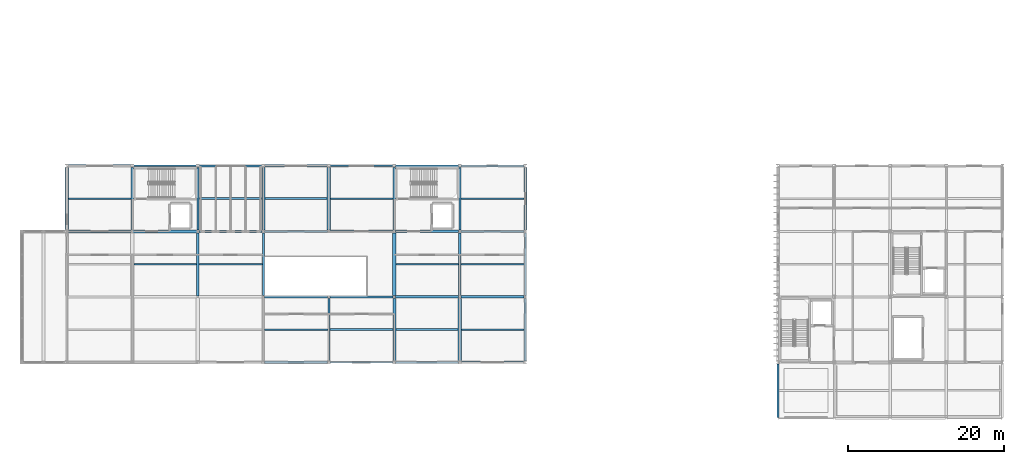
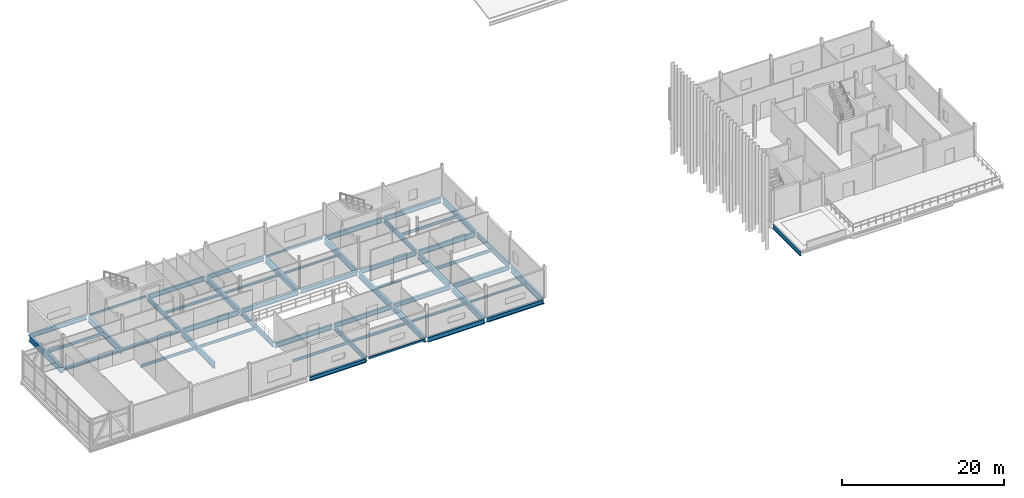
# One storey, part 16 of 45: 52 beams.
"""IFC4 building model written with IfcOpenShell, lengths in metres."""

from ifc_helpers import new_model, si_unit, direction, frame, origin, origin_2d, place, context, subcontext, project, spatial, hollow_rectangle, i_section, extrude, material, material_profile, profile_set, type_object, element, save


model = new_model("IFC4")

# Units and contexts
model_context = context("Model", 3, precision=1e-05, world=origin(), true_north=direction((0.0, 1.0)))
body_context = subcontext(model_context, "Body", "Model", "MODEL_VIEW")
ifc_project = project(units=[si_unit("LENGTHUNIT", "METRE"), si_unit("AREAUNIT", "SQUARE_METRE"), si_unit("VOLUMEUNIT", "CUBIC_METRE"), si_unit("PLANEANGLEUNIT", "RADIAN"), si_unit("MASSUNIT", "GRAM", prefix="KILO")], contexts=[model_context])

# Site, building, storey
site_placement = place(None, origin())
site = spatial("IfcSite", under=ifc_project, at=site_placement, CompositionType="ELEMENT")
building_placement = place(site_placement, origin())
building = spatial("IfcBuilding", under=site, at=building_placement, Name="Calvrana Isthmian Art Gallery", CompositionType="ELEMENT")
storey_placement = place(building_placement, frame((0.0, 0.0, 19.800048828125)))
storey = spatial("IfcBuildingStorey", under=building, at=storey_placement, Name="L04", CompositionType="ELEMENT", Elevation=19.800048828125)

# Beams
ifc_material_1 = material(Name="Steel ASTM A992 Gr 50", Category="steel")
ifc_material_profile_1 = material_profile(ifc_material_1, i_section(OverallWidth=0.39892578125, OverallDepth=0.39404296875, WebThickness=0.022705078125, FlangeThickness=0.03662109375, FilletRadius=0.02490234375, at=origin_2d()), Name="W14X193")
ifc_profile_set_1 = profile_set([ifc_material_profile_1], Name="Steel ASTM A992 Gr 50")
beam_type_1 = type_object("IfcBeamType", Name="BM-CANT-CHORD", PredefinedType="BEAM", material=ifc_profile_set_1)
beam_1_placement = place(storey_placement, frame((21.60009765625, 38.39990234375, -0.467041015625), z_axis=(1.0, 0.0, 0.0), x_axis=(0.0, 1.0, 0.0)))
element("IfcBeam", 1, at=beam_1_placement, inside=storey, type_object=beam_type_1, Name="Lookout back-span bottom chord 2", PredefinedType="BEAM", context=body_context, shape_type="SweptSolid", body=[
    extrude(i_section(OverallWidth=0.39892578125, OverallDepth=0.39404296875, WebThickness=0.022705078125, FlangeThickness=0.03662109375, FilletRadius=0.02490234375, at=origin_2d()), origin(), (0.0, 0.0, 1.0), 16.7998046875),
])
ifc_material_profile_2 = material_profile(ifc_material_1, i_section(OverallWidth=0.324951171875, OverallDepth=0.612060546875, WebThickness=0.0126953125, FlangeThickness=0.01904296875, FilletRadius=0.02197265625, at=origin_2d()), Name="W24X104")
ifc_profile_set_2 = profile_set([ifc_material_profile_2], Name="Steel ASTM A992 Gr 50")
beam_type_2 = type_object("IfcBeamType", Name="BM-G-W24X104", PredefinedType="BEAM", material=ifc_profile_set_2)
beam_2_placement = place(storey_placement, frame((46.985595703125, 21.60009765625, -0.571044921875), z_axis=(1.0, 0.0, 0.0), x_axis=(0.0, 1.0, 0.0)))
element("IfcBeam", 2, at=beam_2_placement, inside=storey, type_object=beam_type_2, Name="Girder X L04 07-08/D", PredefinedType="BEAM", context=body_context, shape_type="SweptSolid", body=[
    extrude(i_section(OverallWidth=0.324951171875, OverallDepth=0.612060546875, WebThickness=0.0126953125, FlangeThickness=0.01904296875, FilletRadius=0.02197265625, at=origin_2d()), origin(), (0.0, 0.0, 1.0), 8.030517578125),
])
beam_3_placement = place(storey_placement, frame((72.1865234375, 30.0, -0.571044921875), z_axis=(1.0, 0.0, 0.0), x_axis=(0.0, 1.0, 0.0)))
element("IfcBeam", 3, at=beam_3_placement, inside=storey, type_object=beam_type_2, Name="Girder X L04 10-11/E", PredefinedType="BEAM", context=body_context, shape_type="SweptSolid", body=[
    extrude(i_section(OverallWidth=0.324951171875, OverallDepth=0.612060546875, WebThickness=0.0126953125, FlangeThickness=0.01904296875, FilletRadius=0.02197265625, at=origin_2d()), origin(), (0.0, 0.0, 1.0), 8.02685546875),
])
beam_4_placement = place(storey_placement, frame((63.785400390625, 38.39990234375, -0.571044921875), z_axis=(1.0, 0.0, 0.0), x_axis=(0.0, 1.0, 0.0)))
element("IfcBeam", 4, at=beam_4_placement, inside=storey, type_object=beam_type_2, Name="Girder X L04 09-10/F", PredefinedType="BEAM", context=body_context, shape_type="SweptSolid", body=[
    extrude(i_section(OverallWidth=0.324951171875, OverallDepth=0.612060546875, WebThickness=0.0126953125, FlangeThickness=0.01904296875, FilletRadius=0.02197265625, at=origin_2d()), origin(), (0.0, 0.0, 1.0), 8.030517578125),
])
beam_5_placement = place(storey_placement, frame((21.78662109375, 46.800048828125, -0.571044921875), z_axis=(1.0, 0.0, 0.0), x_axis=(0.0, 1.0, 0.0)))
element("IfcBeam", 5, at=beam_5_placement, inside=storey, type_object=beam_type_2, Name="Girder X L04 04-05/G", PredefinedType="BEAM", context=body_context, shape_type="SweptSolid", body=[
    extrude(i_section(OverallWidth=0.324951171875, OverallDepth=0.612060546875, WebThickness=0.0126953125, FlangeThickness=0.01904296875, FilletRadius=0.02197265625, at=origin_2d()), origin(), (0.0, 0.0, 1.0), 8.02685546875),
])
ifc_material_profile_3 = material_profile(ifc_material_1, i_section(OverallWidth=0.327880859375, OverallDepth=0.6220703125, WebThickness=0.015380859375, FlangeThickness=0.0244140625, FilletRadius=0.02197265625, at=origin_2d()), Name="W24X131")
ifc_profile_set_3 = profile_set([ifc_material_profile_3], Name="Steel ASTM A992 Gr 50")
beam_type_3 = type_object("IfcBeamType", Name="BM-G-W24X131", PredefinedType="BEAM", material=ifc_profile_set_3)
beam_6_placement = place(storey_placement, frame((72.1865234375, 21.60009765625, -0.575927734375), z_axis=(1.0, 0.0, 0.0), x_axis=(0.0, 1.0, 0.0)))
element("IfcBeam", 6, at=beam_6_placement, inside=storey, type_object=beam_type_3, Name="Girder X L04 10-11/D", PredefinedType="BEAM", context=body_context, shape_type="SweptSolid", body=[
    extrude(i_section(OverallWidth=0.327880859375, OverallDepth=0.6220703125, WebThickness=0.015380859375, FlangeThickness=0.0244140625, FilletRadius=0.02197265625, at=origin_2d()), origin(), (0.0, 0.0, 1.0), 8.028076171875),
])
beam_7_placement = place(storey_placement, frame((63.783935546875, 30.0, -0.575927734375), z_axis=(1.0, 0.0, 0.0), x_axis=(0.0, 1.0, 0.0)))
element("IfcBeam", 7, at=beam_7_placement, inside=storey, type_object=beam_type_3, Name="Girder X L04 09-10/E", PredefinedType="BEAM", context=body_context, shape_type="SweptSolid", body=[
    extrude(i_section(OverallWidth=0.327880859375, OverallDepth=0.6220703125, WebThickness=0.015380859375, FlangeThickness=0.0244140625, FilletRadius=0.02197265625, at=origin_2d()), origin(), (0.0, 0.0, 1.0), 8.029541015625),
])
beam_8_placement = place(storey_placement, frame((55.386474609375, 38.39990234375, -0.575927734375), z_axis=(1.0, 0.0, 0.0), x_axis=(0.0, 1.0, 0.0)))
element("IfcBeam", 8, at=beam_8_placement, inside=storey, type_object=beam_type_3, Name="Girder X L04 08-09/F", PredefinedType="BEAM", context=body_context, shape_type="SweptSolid", body=[
    extrude(i_section(OverallWidth=0.327880859375, OverallDepth=0.6220703125, WebThickness=0.015380859375, FlangeThickness=0.0244140625, FilletRadius=0.02197265625, at=origin_2d()), origin(), (0.0, 0.0, 1.0), 8.028076171875),
])
beam_9_placement = place(storey_placement, frame((46.98388671875, 46.800048828125, -0.575927734375), z_axis=(1.0, 0.0, 0.0), x_axis=(0.0, 1.0, 0.0)))
element("IfcBeam", 9, at=beam_9_placement, inside=storey, type_object=beam_type_3, Name="Girder X L04 07-08/G", PredefinedType="BEAM", context=body_context, shape_type="SweptSolid", body=[
    extrude(i_section(OverallWidth=0.327880859375, OverallDepth=0.6220703125, WebThickness=0.015380859375, FlangeThickness=0.0244140625, FilletRadius=0.02197265625, at=origin_2d()), origin(), (0.0, 0.0, 1.0), 8.029541015625),
])
ifc_material_profile_4 = material_profile(ifc_material_1, i_section(OverallWidth=0.22802734375, OverallDepth=0.60693359375, WebThickness=0.01123046875, FlangeThickness=0.017333984375, FilletRadius=0.02197265625, at=origin_2d()), Name="W24X76")
ifc_profile_set_4 = profile_set([ifc_material_profile_4], Name="Steel ASTM A992 Gr 50")
beam_type_4 = type_object("IfcBeamType", Name="BM-G-W24X76", PredefinedType="BEAM", material=ifc_profile_set_4)
beam_10_placement = place(storey_placement, frame((112.800048828125, 14.527099609375, -0.568603515625), z_axis=(0.0, 1.0, 0.0), x_axis=(-1.0, 0.0, 0.0)))
element("IfcBeam", 10, at=beam_10_placement, inside=storey, type_object=beam_type_4, Name="Girder Y L04 15/C-D", PredefinedType="BEAM", context=body_context, shape_type="SweptSolid", body=[
    extrude(i_section(OverallWidth=0.22802734375, OverallDepth=0.60693359375, WebThickness=0.01123046875, FlangeThickness=0.017333984375, FilletRadius=0.02197265625, at=origin_2d()), origin(), (0.0, 0.0, 1.0), 6.891357421875),
])
ifc_material_profile_5 = material_profile(ifc_material_1, i_section(OverallWidth=0.257080078125, OverallDepth=0.693115234375, WebThickness=0.014404296875, FlangeThickness=0.023681640625, FilletRadius=0.02392578125, at=origin_2d()), Name="W27X114")
ifc_profile_set_5 = profile_set([ifc_material_profile_5], Name="Steel ASTM A992 Gr 50")
beam_type_5 = type_object("IfcBeamType", Name="BM-G-W27X114", PredefinedType="BEAM", material=ifc_profile_set_5)
beam_11_placement = place(storey_placement, frame((63.78662109375, 21.60009765625, -0.611572265625), z_axis=(1.0, 0.0, 0.0), x_axis=(0.0, 1.0, 0.0)))
element("IfcBeam", 11, at=beam_11_placement, inside=storey, type_object=beam_type_5, Name="Girder X L04 09-10/D", PredefinedType="BEAM", context=body_context, shape_type="SweptSolid", body=[
    extrude(i_section(OverallWidth=0.257080078125, OverallDepth=0.693115234375, WebThickness=0.014404296875, FlangeThickness=0.023681640625, FilletRadius=0.02392578125, at=origin_2d()), origin(), (0.0, 0.0, 1.0), 8.02685546875),
])
beam_12_placement = place(storey_placement, frame((55.385498046875, 30.0, -0.611572265625), z_axis=(1.0, 0.0, 0.0), x_axis=(0.0, 1.0, 0.0)))
element("IfcBeam", 12, at=beam_12_placement, inside=storey, type_object=beam_type_5, Name="Girder X L04 08-09/E", PredefinedType="BEAM", context=body_context, shape_type="SweptSolid", body=[
    extrude(i_section(OverallWidth=0.257080078125, OverallDepth=0.693115234375, WebThickness=0.014404296875, FlangeThickness=0.023681640625, FilletRadius=0.02392578125, at=origin_2d()), origin(), (0.0, 0.0, 1.0), 8.030517578125),
])
beam_13_placement = place(storey_placement, frame((46.986572265625, 38.39990234375, -0.611572265625), z_axis=(1.0, 0.0, 0.0), x_axis=(0.0, 1.0, 0.0)))
element("IfcBeam", 13, at=beam_13_placement, inside=storey, type_object=beam_type_5, Name="Girder X L04 07-08/F", PredefinedType="BEAM", context=body_context, shape_type="SweptSolid", body=[
    extrude(i_section(OverallWidth=0.257080078125, OverallDepth=0.693115234375, WebThickness=0.014404296875, FlangeThickness=0.023681640625, FilletRadius=0.02392578125, at=origin_2d()), origin(), (0.0, 0.0, 1.0), 8.02685546875),
])
for number, where, z_axis, x_axis, name in (
    (14, (38.58544921875, 46.800048828125, -0.611572265625), (1.0, 0.0, 0.0), (0.0, 1.0, 0.0), "Girder X L04 06-07/G"),
    (15, (72.185546875, 46.800048828125, -0.611572265625), (1.0, 0.0, 0.0), (0.0, 1.0, 0.0), "Girder X L04 10-11/G"),
):
    element("IfcBeam", number, at=place(storey_placement, frame(where, z_axis=z_axis, x_axis=x_axis)), inside=storey, type_object=beam_type_5, Name=name, PredefinedType="BEAM", context=body_context, shape_type="SweptSolid", body=[
        extrude(i_section(OverallWidth=0.257080078125, OverallDepth=0.693115234375, WebThickness=0.014404296875, FlangeThickness=0.023681640625, FilletRadius=0.02392578125, at=origin_2d()), origin(), (0.0, 0.0, 1.0), 8.030517578125),
    ])
beam_14_placement = place(storey_placement, frame((38.39990234375, 38.577880859375, -0.611572265625), z_axis=(0.0, 1.0, 0.0), x_axis=(-1.0, 0.0, 0.0)))
element("IfcBeam", 16, at=beam_14_placement, inside=storey, type_object=beam_type_5, Name="Girder Y L04 06/F-G", PredefinedType="BEAM", context=body_context, shape_type="SweptSolid", body=[
    extrude(i_section(OverallWidth=0.257080078125, OverallDepth=0.693115234375, WebThickness=0.014404296875, FlangeThickness=0.023681640625, FilletRadius=0.02392578125, at=origin_2d()), origin(), (0.0, 0.0, 1.0), 8.04052734375),
])
beam_15_placement = place(storey_placement, frame((46.800048828125, 30.15234375, -0.611572265625), z_axis=(0.0, 1.0, 0.0), x_axis=(-1.0, 0.0, 0.0)))
element("IfcBeam", 17, at=beam_15_placement, inside=storey, type_object=beam_type_5, Name="Girder Y L04 07/E-F", PredefinedType="BEAM", context=body_context, shape_type="SweptSolid", body=[
    extrude(i_section(OverallWidth=0.257080078125, OverallDepth=0.693115234375, WebThickness=0.014404296875, FlangeThickness=0.023681640625, FilletRadius=0.02392578125, at=origin_2d()), origin(), (0.0, 0.0, 1.0), 8.06103515625),
])
for number, where, z_axis, x_axis, name in (
    (18, (55.199951171875, 21.778076171875, -0.611572265625), (0.0, 1.0, 0.0), (-1.0, 0.0, 0.0), "Girder Y L04 08/D-E"),
    (19, (72.0, 38.577880859375, -0.611572265625), (0.0, 1.0, 0.0), (-1.0, 0.0, 0.0), "Girder Y L04 10/F-G"),
):
    element("IfcBeam", number, at=place(storey_placement, frame(where, z_axis=z_axis, x_axis=x_axis)), inside=storey, type_object=beam_type_5, Name=name, PredefinedType="BEAM", context=body_context, shape_type="SweptSolid", body=[
        extrude(i_section(OverallWidth=0.257080078125, OverallDepth=0.693115234375, WebThickness=0.014404296875, FlangeThickness=0.023681640625, FilletRadius=0.02392578125, at=origin_2d()), origin(), (0.0, 0.0, 1.0), 8.04052734375),
    ])
beam_16_placement = place(storey_placement, frame((80.39990234375, 30.18408203125, -0.611572265625), z_axis=(0.0, 1.0, 0.0), x_axis=(-1.0, 0.0, 0.0)))
element("IfcBeam", 20, at=beam_16_placement, inside=storey, type_object=beam_type_5, Name="Girder Y L04 11/E-F", PredefinedType="BEAM", context=body_context, shape_type="SweptSolid", body=[
    extrude(i_section(OverallWidth=0.257080078125, OverallDepth=0.693115234375, WebThickness=0.014404296875, FlangeThickness=0.023681640625, FilletRadius=0.02392578125, at=origin_2d()), origin(), (0.0, 0.0, 1.0), 8.029296875),
])
ifc_material_profile_6 = material_profile(ifc_material_1, i_section(OverallWidth=0.26708984375, OverallDepth=0.761962890625, WebThickness=0.014404296875, FlangeThickness=0.021484375, FilletRadius=0.02490234375, at=origin_2d()), Name="W30X116")
ifc_profile_set_6 = profile_set([ifc_material_profile_6], Name="Steel ASTM A992 Gr 50")
beam_type_6 = type_object("IfcBeamType", Name="BM-G-W30X116", PredefinedType="BEAM", material=ifc_profile_set_6)
beam_17_placement = place(storey_placement, frame((46.952392578125, 30.0, -0.64599609375), z_axis=(1.0, 0.0, 0.0), x_axis=(0.0, 1.0, 0.0)))
element("IfcBeam", 21, at=beam_17_placement, inside=storey, type_object=beam_type_6, Name="Girder X L04 07-08/E", PredefinedType="BEAM", context=body_context, shape_type="SweptSolid", body=[
    extrude(i_section(OverallWidth=0.26708984375, OverallDepth=0.761962890625, WebThickness=0.014404296875, FlangeThickness=0.021484375, FilletRadius=0.02490234375, at=origin_2d()), origin(), (0.0, 0.0, 1.0), 8.06201171875),
])
beam_18_placement = place(storey_placement, frame((38.583984375, 38.39990234375, -0.64599609375), z_axis=(1.0, 0.0, 0.0), x_axis=(0.0, 1.0, 0.0)))
element("IfcBeam", 22, at=beam_18_placement, inside=storey, type_object=beam_type_6, Name="Girder X L04 06-07/F", PredefinedType="BEAM", context=body_context, shape_type="SweptSolid", body=[
    extrude(i_section(OverallWidth=0.26708984375, OverallDepth=0.761962890625, WebThickness=0.014404296875, FlangeThickness=0.021484375, FilletRadius=0.02490234375, at=origin_2d()), origin(), (0.0, 0.0, 1.0), 8.029541015625),
])
beam_19_placement = place(storey_placement, frame((72.18408203125, 38.39990234375, -0.64599609375), z_axis=(1.0, 0.0, 0.0), x_axis=(0.0, 1.0, 0.0)))
element("IfcBeam", 23, at=beam_19_placement, inside=storey, type_object=beam_type_6, Name="Girder X L04 10-11/F", PredefinedType="BEAM", context=body_context, shape_type="SweptSolid", body=[
    extrude(i_section(OverallWidth=0.26708984375, OverallDepth=0.761962890625, WebThickness=0.014404296875, FlangeThickness=0.021484375, FilletRadius=0.02490234375, at=origin_2d()), origin(), (0.0, 0.0, 1.0), 8.029296875),
])
beam_20_placement = place(storey_placement, frame((63.78662109375, 46.800048828125, -0.64599609375), z_axis=(1.0, 0.0, 0.0), x_axis=(0.0, 1.0, 0.0)))
element("IfcBeam", 24, at=beam_20_placement, inside=storey, type_object=beam_type_6, Name="Girder X L04 09-10/G", PredefinedType="BEAM", context=body_context, shape_type="SweptSolid", body=[
    extrude(i_section(OverallWidth=0.26708984375, OverallDepth=0.761962890625, WebThickness=0.014404296875, FlangeThickness=0.021484375, FilletRadius=0.02490234375, at=origin_2d()), origin(), (0.0, 0.0, 1.0), 8.02783203125),
])
ifc_material_profile_7 = material_profile(ifc_material_1, i_section(OverallWidth=0.381103515625, OverallDepth=0.77197265625, WebThickness=0.0166015625, FlangeThickness=0.027099609375, FilletRadius=0.02490234375, at=origin_2d()), Name="W30X173")
ifc_profile_set_7 = profile_set([ifc_material_profile_7], Name="Steel ASTM A992 Gr 50")
beam_type_7 = type_object("IfcBeamType", Name="BM-G-W30X173", PredefinedType="BEAM", material=ifc_profile_set_7)
beam_21_placement = place(storey_placement, frame((46.800048828125, 38.58642578125, -0.651123046875), z_axis=(0.0, 1.0, 0.0), x_axis=(-1.0, 0.0, 0.0)))
element("IfcBeam", 25, at=beam_21_placement, inside=storey, type_object=beam_type_7, Name="Girder Y L04 07/F-G", PredefinedType="BEAM", context=body_context, shape_type="SweptSolid", body=[
    extrude(i_section(OverallWidth=0.381103515625, OverallDepth=0.77197265625, WebThickness=0.0166015625, FlangeThickness=0.027099609375, FilletRadius=0.02490234375, at=origin_2d()), origin(), (0.0, 0.0, 1.0), 8.03564453125),
])
beam_22_placement = place(storey_placement, frame((63.60009765625, 21.78662109375, -0.651123046875), z_axis=(0.0, 1.0, 0.0), x_axis=(-1.0, 0.0, 0.0)))
element("IfcBeam", 26, at=beam_22_placement, inside=storey, type_object=beam_type_7, Name="Girder Y L04 09/D-E", PredefinedType="BEAM", context=body_context, shape_type="SweptSolid", body=[
    extrude(i_section(OverallWidth=0.381103515625, OverallDepth=0.77197265625, WebThickness=0.0166015625, FlangeThickness=0.027099609375, FilletRadius=0.02490234375, at=origin_2d()), origin(), (0.0, 0.0, 1.0), 8.035400390625),
])
beam_23_placement = place(storey_placement, frame((80.39990234375, 38.58642578125, -0.651123046875), z_axis=(0.0, 1.0, 0.0), x_axis=(-1.0, 0.0, 0.0)))
element("IfcBeam", 27, at=beam_23_placement, inside=storey, type_object=beam_type_7, Name="Girder Y L04 11/F-G", PredefinedType="BEAM", context=body_context, shape_type="SweptSolid", body=[
    extrude(i_section(OverallWidth=0.381103515625, OverallDepth=0.77197265625, WebThickness=0.0166015625, FlangeThickness=0.027099609375, FilletRadius=0.02490234375, at=origin_2d()), origin(), (0.0, 0.0, 1.0), 8.03564453125),
])
ifc_material_profile_8 = material_profile(ifc_material_1, i_section(OverallWidth=0.40087890625, OverallDepth=0.85595703125, WebThickness=0.018310546875, FlangeThickness=0.029296875, FilletRadius=0.02587890625, at=origin_2d()), Name="W33X201")
ifc_profile_set_8 = profile_set([ifc_material_profile_8], Name="Steel ASTM A992 Gr 50")
beam_type_8 = type_object("IfcBeamType", Name="BM-G-W33X201", PredefinedType="BEAM", material=ifc_profile_set_8)
beam_24_placement = place(storey_placement, frame((21.60009765625, 38.552490234375, -0.693115234375), z_axis=(0.0, 1.0, 0.0), x_axis=(-1.0, 0.0, 0.0)))
element("IfcBeam", 28, at=beam_24_placement, inside=storey, type_object=beam_type_8, Name="Girder Y L04 04/F-G", PredefinedType="BEAM", context=body_context, shape_type="SweptSolid", body=[
    extrude(i_section(OverallWidth=0.40087890625, OverallDepth=0.85595703125, WebThickness=0.018310546875, FlangeThickness=0.029296875, FilletRadius=0.02587890625, at=origin_2d()), origin(), (0.0, 0.0, 1.0), 8.06103515625),
])
beam_25_placement = place(storey_placement, frame((55.199951171875, 38.583984375, -0.693115234375), z_axis=(0.0, 1.0, 0.0), x_axis=(-1.0, 0.0, 0.0)))
element("IfcBeam", 29, at=beam_25_placement, inside=storey, type_object=beam_type_8, Name="Girder Y L04 08/F-G", PredefinedType="BEAM", context=body_context, shape_type="SweptSolid", body=[
    extrude(i_section(OverallWidth=0.40087890625, OverallDepth=0.85595703125, WebThickness=0.018310546875, FlangeThickness=0.029296875, FilletRadius=0.02587890625, at=origin_2d()), origin(), (0.0, 0.0, 1.0), 8.029541015625),
])
beam_26_placement = place(storey_placement, frame((63.60009765625, 30.177978515625, -0.693115234375), z_axis=(0.0, 1.0, 0.0), x_axis=(-1.0, 0.0, 0.0)))
element("IfcBeam", 30, at=beam_26_placement, inside=storey, type_object=beam_type_8, Name="Girder Y L04 09/E-F", PredefinedType="BEAM", context=body_context, shape_type="SweptSolid", body=[
    extrude(i_section(OverallWidth=0.40087890625, OverallDepth=0.85595703125, WebThickness=0.018310546875, FlangeThickness=0.029296875, FilletRadius=0.02587890625, at=origin_2d()), origin(), (0.0, 0.0, 1.0), 8.04052734375),
])
beam_27_placement = place(storey_placement, frame((72.0, 21.783935546875, -0.693115234375), z_axis=(0.0, 1.0, 0.0), x_axis=(-1.0, 0.0, 0.0)))
element("IfcBeam", 31, at=beam_27_placement, inside=storey, type_object=beam_type_8, Name="Girder Y L04 10/D-E", PredefinedType="BEAM", context=body_context, shape_type="SweptSolid", body=[
    extrude(i_section(OverallWidth=0.40087890625, OverallDepth=0.85595703125, WebThickness=0.018310546875, FlangeThickness=0.029296875, FilletRadius=0.02587890625, at=origin_2d()), origin(), (0.0, 0.0, 1.0), 8.029541015625),
])
ifc_material_profile_9 = material_profile(ifc_material_1, i_section(OverallWidth=0.306884765625, OverallDepth=0.927001953125, WebThickness=0.019287109375, FlangeThickness=0.031982421875, FilletRadius=0.028076171875, at=origin_2d()), Name="W36X194")
ifc_profile_set_9 = profile_set([ifc_material_profile_9], Name="Steel ASTM A992 Gr 50")
beam_type_9 = type_object("IfcBeamType", Name="BM-G-W36X194", PredefinedType="BEAM", material=ifc_profile_set_9)
beam_28_placement = place(storey_placement, frame((30.0, 38.58154296875, -0.728515625), z_axis=(0.0, 1.0, 0.0), x_axis=(-1.0, 0.0, 0.0)))
element("IfcBeam", 32, at=beam_28_placement, inside=storey, type_object=beam_type_9, Name="Girder Y L04 05/F-G", PredefinedType="BEAM", context=body_context, shape_type="SweptSolid", body=[
    extrude(i_section(OverallWidth=0.306884765625, OverallDepth=0.927001953125, WebThickness=0.019287109375, FlangeThickness=0.031982421875, FilletRadius=0.028076171875, at=origin_2d()), origin(), (0.0, 0.0, 1.0), 8.034423828125),
])
beam_29_placement = place(storey_placement, frame((38.39990234375, 30.1015625, -0.728515625), z_axis=(0.0, 1.0, 0.0), x_axis=(-1.0, 0.0, 0.0)))
element("IfcBeam", 33, at=beam_29_placement, inside=storey, type_object=beam_type_9, Name="Girder Y L04 06/E-F", PredefinedType="BEAM", context=body_context, shape_type="SweptSolid", body=[
    extrude(i_section(OverallWidth=0.306884765625, OverallDepth=0.927001953125, WebThickness=0.019287109375, FlangeThickness=0.031982421875, FilletRadius=0.028076171875, at=origin_2d()), origin(), (0.0, 0.0, 1.0), 8.120361328125),
])
beam_30_placement = place(storey_placement, frame((63.60009765625, 38.58154296875, -0.728515625), z_axis=(0.0, 1.0, 0.0), x_axis=(-1.0, 0.0, 0.0)))
element("IfcBeam", 34, at=beam_30_placement, inside=storey, type_object=beam_type_9, Name="Girder Y L04 09/F-G", PredefinedType="BEAM", context=body_context, shape_type="SweptSolid", body=[
    extrude(i_section(OverallWidth=0.306884765625, OverallDepth=0.927001953125, WebThickness=0.019287109375, FlangeThickness=0.031982421875, FilletRadius=0.028076171875, at=origin_2d()), origin(), (0.0, 0.0, 1.0), 8.034423828125),
])
beam_31_placement = place(storey_placement, frame((72.0, 30.1865234375, -0.728515625), z_axis=(0.0, 1.0, 0.0), x_axis=(-1.0, 0.0, 0.0)))
element("IfcBeam", 35, at=beam_31_placement, inside=storey, type_object=beam_type_9, Name="Girder Y L04 10/E-F", PredefinedType="BEAM", context=body_context, shape_type="SweptSolid", body=[
    extrude(i_section(OverallWidth=0.306884765625, OverallDepth=0.927001953125, WebThickness=0.019287109375, FlangeThickness=0.031982421875, FilletRadius=0.028076171875, at=origin_2d()), origin(), (0.0, 0.0, 1.0), 8.035400390625),
])
beam_32_placement = place(storey_placement, frame((80.39990234375, 21.781494140625, -0.728515625), z_axis=(0.0, 1.0, 0.0), x_axis=(-1.0, 0.0, 0.0)))
element("IfcBeam", 36, at=beam_32_placement, inside=storey, type_object=beam_type_9, Name="Girder Y L04 11/D-E", PredefinedType="BEAM", context=body_context, shape_type="SweptSolid", body=[
    extrude(i_section(OverallWidth=0.306884765625, OverallDepth=0.927001953125, WebThickness=0.019287109375, FlangeThickness=0.031982421875, FilletRadius=0.028076171875, at=origin_2d()), origin(), (0.0, 0.0, 1.0), 8.034423828125),
])
ifc_material_profile_10 = material_profile(ifc_material_1, i_section(OverallWidth=0.202880859375, OverallDepth=0.302001953125, WebThickness=0.007568359375, FlangeThickness=0.01318359375, FilletRadius=0.01611328125, at=origin_2d()), Name="W12X40")
ifc_profile_set_10 = profile_set([ifc_material_profile_10], Name="Steel ASTM A992 Gr 50")
beam_type_10 = type_object("IfcBeamType", Name="BM-J-W12X40", PredefinedType="JOIST", material=ifc_profile_set_10)
beam_33_placement = place(storey_placement, frame((55.400390625, 42.60009765625, -0.416015625), z_axis=(1.0, 0.0, 0.0), x_axis=(0.0, 1.0, 0.0)))
element("IfcBeam", 37, at=beam_33_placement, inside=storey, type_object=beam_type_10, Name="Composite joist L04 bay 07-05", PredefinedType="JOIST", context=body_context, shape_type="SweptSolid", body=[
    extrude(i_section(OverallWidth=0.202880859375, OverallDepth=0.302001953125, WebThickness=0.007568359375, FlangeThickness=0.01318359375, FilletRadius=0.01611328125, at=origin_2d()), origin(), (0.0, 0.0, 1.0), 8.046142578125),
])
beam_34_placement = place(storey_placement, frame((63.800537109375, 34.199951171875, -0.416015625), z_axis=(1.0, 0.0, 0.0), x_axis=(0.0, 1.0, 0.0)))
element("IfcBeam", 38, at=beam_34_placement, inside=storey, type_object=beam_type_10, Name="Composite joist L04 bay 08-04", PredefinedType="JOIST", context=body_context, shape_type="SweptSolid", body=[
    extrude(i_section(OverallWidth=0.202880859375, OverallDepth=0.302001953125, WebThickness=0.007568359375, FlangeThickness=0.01318359375, FilletRadius=0.01611328125, at=origin_2d()), origin(), (0.0, 0.0, 1.0), 8.0458984375),
])
beam_35_placement = place(storey_placement, frame((72.200439453125, 25.800048828125, -0.416015625), z_axis=(1.0, 0.0, 0.0), x_axis=(0.0, 1.0, 0.0)))
element("IfcBeam", 39, at=beam_35_placement, inside=storey, type_object=beam_type_10, Name="Composite joist L04 bay 09-03", PredefinedType="JOIST", context=body_context, shape_type="SweptSolid", body=[
    extrude(i_section(OverallWidth=0.202880859375, OverallDepth=0.302001953125, WebThickness=0.007568359375, FlangeThickness=0.01318359375, FilletRadius=0.01611328125, at=origin_2d()), origin(), (0.0, 0.0, 1.0), 8.046142578125),
])
ifc_material_profile_11 = material_profile(ifc_material_1, i_section(OverallWidth=0.25390625, OverallDepth=0.306884765625, WebThickness=0.0087890625, FlangeThickness=0.0146484375, FilletRadius=0.01611328125, at=origin_2d()), Name="W12X53")
ifc_profile_set_11 = profile_set([ifc_material_profile_11], Name="Steel ASTM A992 Gr 50")
beam_type_11 = type_object("IfcBeamType", Name="BM-J-W12X53", PredefinedType="JOIST", material=ifc_profile_set_11)
for number, where, z_axis, x_axis, name in (
    (40, (46.990478515625, 42.60009765625, -0.41845703125), (1.0, 0.0, 0.0), (0.0, 1.0, 0.0), "Composite joist L04 bay 06-05"),
    (41, (63.79052734375, 25.800048828125, -0.41845703125), (1.0, 0.0, 0.0), (0.0, 1.0, 0.0), "Composite joist L04 bay 08-03"),
):
    element("IfcBeam", number, at=place(storey_placement, frame(where, z_axis=z_axis, x_axis=x_axis)), inside=storey, type_object=beam_type_11, Name=name, PredefinedType="JOIST", context=body_context, shape_type="SweptSolid", body=[
        extrude(i_section(OverallWidth=0.25390625, OverallDepth=0.306884765625, WebThickness=0.0087890625, FlangeThickness=0.0146484375, FilletRadius=0.01611328125, at=origin_2d()), origin(), (0.0, 0.0, 1.0), 8.009033203125),
    ])
ifc_material_profile_12 = material_profile(ifc_material_1, i_section(OverallWidth=0.25390625, OverallDepth=0.35302734375, WebThickness=0.009521484375, FlangeThickness=0.016357421875, FilletRadius=0.01806640625, at=origin_2d()), Name="W14X61")
ifc_profile_set_12 = profile_set([ifc_material_profile_12], Name="Steel ASTM A992 Gr 50")
beam_type_12 = type_object("IfcBeamType", Name="BM-J-W14X61", PredefinedType="JOIST", material=ifc_profile_set_12)
beam_36_placement = place(storey_placement, frame((38.528564453125, 42.60009765625, -0.441650390625), z_axis=(1.0, 0.0, 0.0), x_axis=(0.0, 1.0, 0.0)))
element("IfcBeam", 42, at=beam_36_placement, inside=storey, type_object=beam_type_12, Name="Composite joist L04 bay 05-05", PredefinedType="JOIST", context=body_context, shape_type="SweptSolid", body=[
    extrude(i_section(OverallWidth=0.25390625, OverallDepth=0.35302734375, WebThickness=0.009521484375, FlangeThickness=0.016357421875, FilletRadius=0.01806640625, at=origin_2d()), origin(), (0.0, 0.0, 1.0), 8.0810546875),
])
beam_37_placement = place(storey_placement, frame((55.32861328125, 25.800048828125, -0.441650390625), z_axis=(1.0, 0.0, 0.0), x_axis=(0.0, 1.0, 0.0)))
element("IfcBeam", 43, at=beam_37_placement, inside=storey, type_object=beam_type_12, Name="Composite joist L04 bay 07-03", PredefinedType="JOIST", context=body_context, shape_type="SweptSolid", body=[
    extrude(i_section(OverallWidth=0.25390625, OverallDepth=0.35302734375, WebThickness=0.009521484375, FlangeThickness=0.016357421875, FilletRadius=0.01806640625, at=origin_2d()), origin(), (0.0, 0.0, 1.0), 8.080810546875),
])
ifc_material_profile_13 = material_profile(ifc_material_1, i_section(OverallWidth=0.177978515625, OverallDepth=0.404052734375, WebThickness=0.007568359375, FlangeThickness=0.010986328125, FilletRadius=0.01806640625, at=origin_2d()), Name="W16X36")
ifc_profile_set_13 = profile_set([ifc_material_profile_13], Name="Steel ASTM A992 Gr 50")
beam_type_13 = type_object("IfcBeamType", Name="BM-J-W16X36", PredefinedType="JOIST", material=ifc_profile_set_13)
for number, where, z_axis, x_axis, name in (
    (44, (38.553466796875, 34.199951171875, -0.467041015625), (1.0, 0.0, 0.0), (0.0, 1.0, 0.0), "Composite joist L04 bay 05-04"),
    (45, (46.95361328125, 25.800048828125, -0.467041015625), (1.0, 0.0, 0.0), (0.0, 1.0, 0.0), "Composite joist L04 bay 06-03"),
):
    element("IfcBeam", number, at=place(storey_placement, frame(where, z_axis=z_axis, x_axis=x_axis)), inside=storey, type_object=beam_type_13, Name=name, PredefinedType="JOIST", context=body_context, shape_type="SweptSolid", body=[
        extrude(i_section(OverallWidth=0.177978515625, OverallDepth=0.404052734375, WebThickness=0.007568359375, FlangeThickness=0.010986328125, FilletRadius=0.01806640625, at=origin_2d()), origin(), (0.0, 0.0, 1.0), 8.117919921875),
    ])
ifc_material_profile_14 = material_profile(ifc_material_1, i_section(OverallWidth=0.179931640625, OverallDepth=0.4140625, WebThickness=0.009765625, FlangeThickness=0.01611328125, FilletRadius=0.01806640625, at=origin_2d()), Name="W16X50")
ifc_profile_set_14 = profile_set([ifc_material_profile_14], Name="Steel ASTM A992 Gr 50")
beam_type_14 = type_object("IfcBeamType", Name="BM-J-W16X50", PredefinedType="JOIST", material=ifc_profile_set_14)
beam_38_placement = place(storey_placement, frame((21.800537109375, 42.60009765625, -0.47216796875), z_axis=(1.0, 0.0, 0.0), x_axis=(0.0, 1.0, 0.0)))
element("IfcBeam", 46, at=beam_38_placement, inside=storey, type_object=beam_type_14, Name="Composite joist L04 bay 03-05", PredefinedType="JOIST", context=body_context, shape_type="SweptSolid", body=[
    extrude(i_section(OverallWidth=0.179931640625, OverallDepth=0.4140625, WebThickness=0.009765625, FlangeThickness=0.01611328125, FilletRadius=0.01806640625, at=origin_2d()), origin(), (0.0, 0.0, 1.0), 8.0458984375),
])
beam_39_placement = place(storey_placement, frame((30.200439453125, 34.199951171875, -0.47216796875), z_axis=(1.0, 0.0, 0.0), x_axis=(0.0, 1.0, 0.0)))
element("IfcBeam", 47, at=beam_39_placement, inside=storey, type_object=beam_type_14, Name="Composite joist L04 bay 04-04", PredefinedType="JOIST", context=body_context, shape_type="SweptSolid", body=[
    extrude(i_section(OverallWidth=0.179931640625, OverallDepth=0.4140625, WebThickness=0.009765625, FlangeThickness=0.01611328125, FilletRadius=0.01806640625, at=origin_2d()), origin(), (0.0, 0.0, 1.0), 8.046142578125),
])
beam_40_placement = place(storey_placement, frame((72.12841796875, 42.60009765625, -0.47216796875), z_axis=(1.0, 0.0, 0.0), x_axis=(0.0, 1.0, 0.0)))
element("IfcBeam", 48, at=beam_40_placement, inside=storey, type_object=beam_type_14, Name="Composite joist L04 bay 09-05", PredefinedType="JOIST", context=body_context, shape_type="SweptSolid", body=[
    extrude(i_section(OverallWidth=0.179931640625, OverallDepth=0.4140625, WebThickness=0.009765625, FlangeThickness=0.01611328125, FilletRadius=0.01806640625, at=origin_2d()), origin(), (0.0, 0.0, 1.0), 8.0810546875),
])
ifc_material_profile_15 = material_profile(ifc_material_1, i_section(OverallWidth=0.19091796875, OverallDepth=0.45703125, WebThickness=0.009033203125, FlangeThickness=0.014404296875, FilletRadius=0.02001953125, at=origin_2d()), Name="W18X50")
ifc_profile_set_15 = profile_set([ifc_material_profile_15], Name="Steel ASTM A992 Gr 50")
beam_type_15 = type_object("IfcBeamType", Name="BM-J-W18X50", PredefinedType="JOIST", material=ifc_profile_set_15)
beam_41_placement = place(storey_placement, frame((72.153564453125, 34.199951171875, -0.49365234375), z_axis=(1.0, 0.0, 0.0), x_axis=(0.0, 1.0, 0.0)))
element("IfcBeam", 49, at=beam_41_placement, inside=storey, type_object=beam_type_15, Name="Composite joist L04 bay 09-04", PredefinedType="JOIST", context=body_context, shape_type="SweptSolid", body=[
    extrude(i_section(OverallWidth=0.19091796875, OverallDepth=0.45703125, WebThickness=0.009033203125, FlangeThickness=0.014404296875, FilletRadius=0.02001953125, at=origin_2d()), origin(), (0.0, 0.0, 1.0), 8.117919921875),
])
ifc_material_2 = material(Name="Steel ASTM A500 Gr C", Category="steel")
ifc_material_profile_16 = material_profile(ifc_material_2, hollow_rectangle(XDim=0.203125, YDim=0.3046875, WallThickness=0.0126953125, OuterFilletRadius=0.02490234375, at=origin_2d()), Name="HSS305X203X12.7")
ifc_profile_set_16 = profile_set([ifc_material_profile_16], Name="Steel ASTM A500 Gr C")
beam_type_16 = type_object("IfcBeamType", Name="BM-SP-HSS305", PredefinedType="SPANDREL", material=ifc_profile_set_16)
beam_42_placement = place(storey_placement, frame((55.384033203125, 21.60009765625, -0.41748046875), z_axis=(1.0, 0.0, 0.0), x_axis=(0.0, 1.0, 0.0)))
element("IfcBeam", 50, at=beam_42_placement, inside=storey, type_object=beam_type_16, Name="Girder X L04 08-09/D", PredefinedType="SPANDREL", context=body_context, shape_type="SweptSolid", body=[
    extrude(hollow_rectangle(XDim=0.203125, YDim=0.3046875, WallThickness=0.0126953125, OuterFilletRadius=0.02490234375, at=origin_2d()), origin(), (0.0, 0.0, 1.0), 8.029541015625),
])
beam_43_placement = place(storey_placement, frame((30.1865234375, 46.800048828125, -0.41748046875), z_axis=(1.0, 0.0, 0.0), x_axis=(0.0, 1.0, 0.0)))
element("IfcBeam", 51, at=beam_43_placement, inside=storey, type_object=beam_type_16, Name="Girder X L04 05-06/G", PredefinedType="SPANDREL", context=body_context, shape_type="SweptSolid", body=[
    extrude(hollow_rectangle(XDim=0.203125, YDim=0.3046875, WallThickness=0.0126953125, OuterFilletRadius=0.02490234375, at=origin_2d()), origin(), (0.0, 0.0, 1.0), 8.028076171875),
])
beam_44_placement = place(storey_placement, frame((55.386474609375, 46.800048828125, -0.41748046875), z_axis=(1.0, 0.0, 0.0), x_axis=(0.0, 1.0, 0.0)))
element("IfcBeam", 52, at=beam_44_placement, inside=storey, type_object=beam_type_16, Name="Girder X L04 08-09/G", PredefinedType="SPANDREL", context=body_context, shape_type="SweptSolid", body=[
    extrude(hollow_rectangle(XDim=0.203125, YDim=0.3046875, WallThickness=0.0126953125, OuterFilletRadius=0.02490234375, at=origin_2d()), origin(), (0.0, 0.0, 1.0), 8.027099609375),
])

save(model, "model.ifc")
